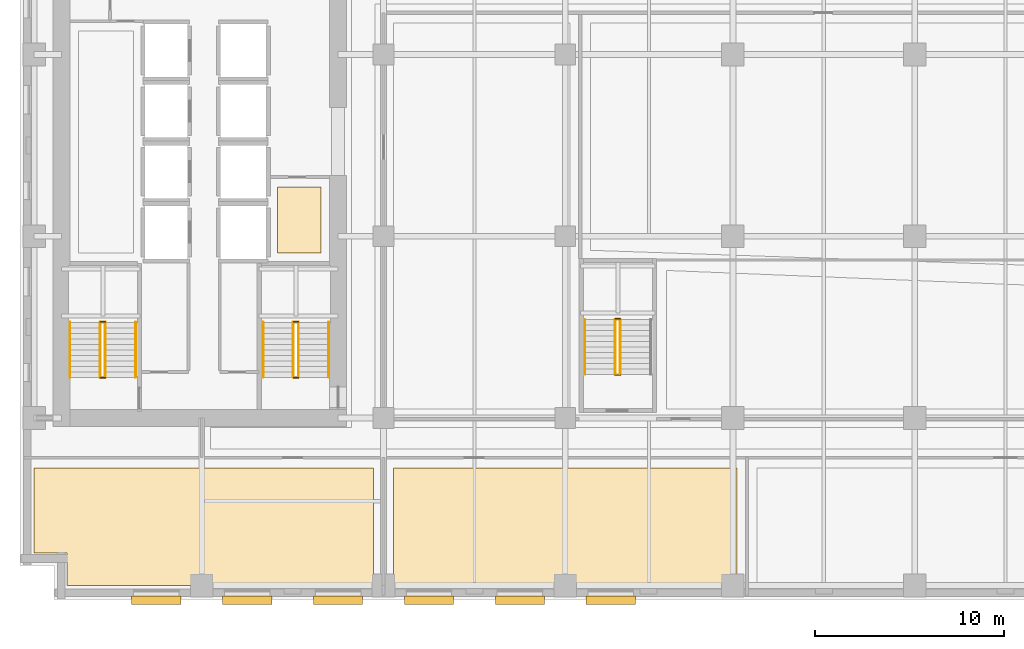
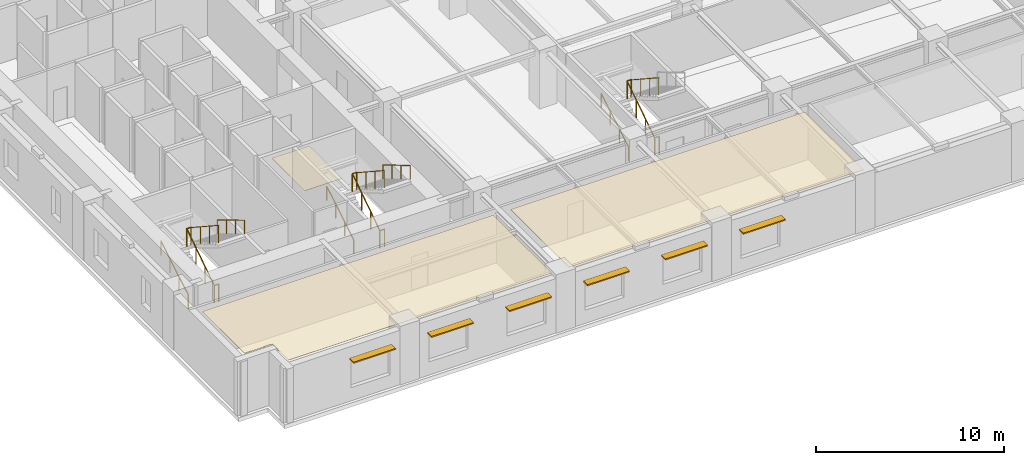
# One storey, part 10 of 14: 17 railings, 6 shading devices, 3 coverings.
"""IFC4 building model written with IfcOpenShell, lengths in metres."""

from ifc_helpers import new_model, si_unit, direction, frame, origin, origin_2d, place, context, subcontext, project, spatial, polyline, rectangle, circle, outline, extrude, material, layer, layer_set, type_object, element, save


model = new_model("IFC4")

# Units and contexts
model_context = context("Model", 3, precision=1e-05, world=origin(), true_north=direction((0.0, 1.0)))
body_context = subcontext(model_context, "Body", "Model", "MODEL_VIEW")
ifc_project = project(units=[si_unit("LENGTHUNIT", "METRE"), si_unit("AREAUNIT", "SQUARE_METRE"), si_unit("VOLUMEUNIT", "CUBIC_METRE"), si_unit("PLANEANGLEUNIT", "RADIAN"), si_unit("MASSUNIT", "GRAM", prefix="KILO")], contexts=[model_context])

# Site, building, storey
site_placement = place(None, origin())
site = spatial("IfcSite", under=ifc_project, at=site_placement, CompositionType="ELEMENT")
building_placement = place(site_placement, origin())
building = spatial("IfcBuilding", under=site, at=building_placement, Name="Norrvale University Quadrangle", CompositionType="ELEMENT")
storey_placement = place(building_placement, frame((0.0, 0.0, 50.800048828125)))
storey = spatial("IfcBuildingStorey", under=building, at=storey_placement, Name="L12", CompositionType="ELEMENT", Elevation=50.800048828125)

# Coverings
ifc_material_1 = material(Name="Perforated Acoustic Mineral Ceiling")
ifc_layer_1 = layer(ifc_material_1, 0.02490234375, Name="Perforated Acoustic Mineral Ceiling")
ifc_layer_set_1 = layer_set([ifc_layer_1], Name="Perforated Acoustic Mineral Ceiling")
covering_type_1 = type_object("IfcCoveringType", Name="Covering Acoustic Ceiling 25", PredefinedType="CEILING", material=ifc_layer_set_1)
covering_1_placement = place(storey_placement, frame((0.0, 0.0, 3.514892578125)))
element("IfcCovering", 1, at=covering_1_placement, inside=storey, type_object=covering_type_1, Name="Acoustic Ceiling RM-L12-S01", PredefinedType="CEILING", context=body_context, shape_type="SweptSolid", body=[
    extrude(outline(polyline([(0.75, 6.969970703125), (18.669921875, 6.969970703125), (18.669921875, 0.75), (2.469970703125, 0.75), (2.469970703125, 2.469970703125), (0.75, 2.469970703125), (0.75, 6.969970703125)])), origin(), (0.0, 0.0, 1.0), 0.025146484375),
])
covering_2_placement = place(storey_placement, frame((0.0, 0.0, 3.514892578125)))
element("IfcCovering", 2, at=covering_2_placement, inside=storey, type_object=covering_type_1, Name="Acoustic Ceiling RM-L12-S02", PredefinedType="CEILING", context=body_context, shape_type="SweptSolid", body=[
    extrude(outline(polyline([(19.72998046875, 6.969970703125), (37.8701171875, 6.969970703125), (37.8701171875, 0.75), (19.72998046875, 0.75), (19.72998046875, 6.969970703125)])), origin(), (0.0, 0.0, 1.0), 0.025146484375),
])
ifc_material_2 = material(Name="Polished Terrazzo Flooring")
ifc_layer_2 = layer(ifc_material_2, 0.02490234375, Name="Polished Terrazzo Flooring")
ifc_layer_set_2 = layer_set([ifc_layer_2], Name="Polished Terrazzo Flooring")
covering_type_2 = type_object("IfcCoveringType", Name="Covering Terrazzo Floor 30", PredefinedType="FLOORING", material=ifc_layer_set_2)
covering_3_placement = place(storey_placement, origin())
element("IfcCovering", 3, at=covering_3_placement, inside=storey, type_object=covering_type_2, Name="Terrazzo Flooring RM-L12-JAN", PredefinedType="FLOORING", context=body_context, shape_type="SweptSolid", body=[
    extrude(outline(polyline([(13.60009765625, 18.300048828125), (13.60009765625, 21.800048828125), (15.89990234375, 21.800048828125), (15.89990234375, 18.300048828125), (13.60009765625, 18.300048828125)])), origin(), (0.0, 0.0, 1.0), 0.02490234375),
])

# Railings
ifc_material_3 = material(Name="Steel 350W Painted Balustrade", Category="steel")
railing_type_1 = type_object("IfcRailingType", Name="Railing Stair Guard 1100", PredefinedType="GUARDRAIL", material=ifc_material_3)
for number, where, name in (
    (4, (4.239990234375, 11.719970703125, 0.0), "Stair Floor Well Guard ST-01 L12"),
    (5, (4.239990234375, 14.679931640625, 1.89990234375), "Stair Mid-Landing Slot Guard ST-01 L12"),
):
    element("IfcRailing", number, at=place(storey_placement, frame(where)), inside=storey, type_object=railing_type_1, Name=name, PredefinedType="GUARDRAIL", context=body_context, shape_type="SweptSolid", body=[
        extrude(circle(Radius=0.02392578125, at=origin_2d()), frame((0.0, 0.0, 1.1259765625), z_axis=(1.0, 0.0, 0.0), x_axis=(0.0, 1.0, 0.0)), (0.0, 0.0, 1.0), 0.27001953125),
        extrude(circle(Radius=0.02099609375, at=origin_2d()), origin(), (0.0, 0.0, 1.0), 1.101806640625),
        extrude(circle(Radius=0.02099609375, at=origin_2d()), frame((0.27001953125, 0.0, 0.0)), (0.0, 0.0, 1.0), 1.101806640625),
    ])
railing_1_placement = place(storey_placement, frame((4.239990234375, 11.75, 0.0)))
element("IfcRailing", 6, at=railing_1_placement, inside=storey, type_object=railing_type_1, Name="Stair Lower Flight Inner Guard ST-01 L12", PredefinedType="GUARDRAIL", context=body_context, shape_type="SweptSolid", body=[
    extrude(circle(Radius=0.02392578125, at=origin_2d()), frame((0.0, 0.0, 1.1259765625), z_axis=(0.0, 0.836465582154, 0.548019461216), x_axis=(-1.0, 0.0, 0.0)), (0.0, 0.0, 1.0), 3.466796875),
    extrude(circle(Radius=0.02099609375, at=origin_2d()), origin(), (0.0, 0.0, 1.0), 1.101806640625),
    extrude(circle(Radius=0.02099609375, at=origin_2d()), frame((0.0, 0.966552734375, 0.63330078125)), (0.0, 0.0, 1.0), 1.101806640625),
    extrude(circle(Radius=0.02099609375, at=origin_2d()), frame((0.0, 1.933349609375, 1.2666015625)), (0.0, 0.0, 1.0), 1.101806640625),
    extrude(circle(Radius=0.02099609375, at=origin_2d()), frame((0.0, 2.89990234375, 1.89990234375)), (0.0, 0.0, 1.0), 1.101806640625),
])
railing_2_placement = place(storey_placement, frame((4.510009765625, 14.64990234375, 1.89990234375)))
element("IfcRailing", 7, at=railing_2_placement, inside=storey, type_object=railing_type_1, Name="Stair Upper Flight Inner Guard ST-01 L12", PredefinedType="GUARDRAIL", context=body_context, shape_type="SweptSolid", body=[
    extrude(circle(Radius=0.02392578125, at=origin_2d()), frame((0.0, 0.0, 1.1259765625), z_axis=(0.0, -0.836433300813, 0.548068730445), x_axis=(1.0, 0.0, 0.0)), (0.0, 0.0, 1.0), 3.467041015625),
    extrude(circle(Radius=0.02099609375, at=origin_2d()), origin(), (0.0, 0.0, 1.0), 1.101806640625),
    extrude(circle(Radius=0.02099609375, at=origin_2d()), frame((0.0, -0.966552734375, 0.63330078125)), (0.0, 0.0, 1.0), 1.101806640625),
    extrude(circle(Radius=0.02099609375, at=origin_2d()), frame((0.0, -1.933349609375, 1.266845703125)), (0.0, 0.0, 1.0), 1.101806640625),
    extrude(circle(Radius=0.02099609375, at=origin_2d()), frame((0.0, -2.89990234375, 1.900146484375)), (0.0, 0.0, 1.0), 1.101806640625),
])
for number, where, name in (
    (8, (14.43994140625, 11.719970703125, 0.0), "Stair Floor Well Guard ST-03 L12"),
    (9, (14.43994140625, 14.679931640625, 1.89990234375), "Stair Mid-Landing Slot Guard ST-03 L12"),
):
    element("IfcRailing", number, at=place(storey_placement, frame(where)), inside=storey, type_object=railing_type_1, Name=name, PredefinedType="GUARDRAIL", context=body_context, shape_type="SweptSolid", body=[
        extrude(circle(Radius=0.02392578125, at=origin_2d()), frame((0.0, 0.0, 1.1259765625), z_axis=(1.0, 0.0, 0.0), x_axis=(0.0, 1.0, 0.0)), (0.0, 0.0, 1.0), 0.27001953125),
        extrude(circle(Radius=0.02099609375, at=origin_2d()), origin(), (0.0, 0.0, 1.0), 1.101806640625),
        extrude(circle(Radius=0.02099609375, at=origin_2d()), frame((0.27001953125, 0.0, 0.0)), (0.0, 0.0, 1.0), 1.101806640625),
    ])
railing_3_placement = place(storey_placement, frame((14.43994140625, 11.75, 0.0)))
element("IfcRailing", 10, at=railing_3_placement, inside=storey, type_object=railing_type_1, Name="Stair Lower Flight Inner Guard ST-03 L12", PredefinedType="GUARDRAIL", context=body_context, shape_type="SweptSolid", body=[
    extrude(circle(Radius=0.02392578125, at=origin_2d()), frame((0.0, 0.0, 1.1259765625), z_axis=(0.0, 0.836465582154, 0.548019461216), x_axis=(-1.0, 0.0, 0.0)), (0.0, 0.0, 1.0), 3.466796875),
    extrude(circle(Radius=0.02099609375, at=origin_2d()), origin(), (0.0, 0.0, 1.0), 1.101806640625),
    extrude(circle(Radius=0.02099609375, at=origin_2d()), frame((0.0, 0.966552734375, 0.63330078125)), (0.0, 0.0, 1.0), 1.101806640625),
    extrude(circle(Radius=0.02099609375, at=origin_2d()), frame((0.0, 1.933349609375, 1.2666015625)), (0.0, 0.0, 1.0), 1.101806640625),
    extrude(circle(Radius=0.02099609375, at=origin_2d()), frame((0.0, 2.89990234375, 1.89990234375)), (0.0, 0.0, 1.0), 1.101806640625),
])
railing_4_placement = place(storey_placement, frame((14.7099609375, 14.64990234375, 1.89990234375)))
element("IfcRailing", 11, at=railing_4_placement, inside=storey, type_object=railing_type_1, Name="Stair Upper Flight Inner Guard ST-03 L12", PredefinedType="GUARDRAIL", context=body_context, shape_type="SweptSolid", body=[
    extrude(circle(Radius=0.02392578125, at=origin_2d()), frame((0.0, 0.0, 1.1259765625), z_axis=(0.0, -0.836433300813, 0.548068730445), x_axis=(1.0, 0.0, 0.0)), (0.0, 0.0, 1.0), 3.467041015625),
    extrude(circle(Radius=0.02099609375, at=origin_2d()), origin(), (0.0, 0.0, 1.0), 1.101806640625),
    extrude(circle(Radius=0.02099609375, at=origin_2d()), frame((0.0, -0.966552734375, 0.63330078125)), (0.0, 0.0, 1.0), 1.101806640625),
    extrude(circle(Radius=0.02099609375, at=origin_2d()), frame((0.0, -1.933349609375, 1.266845703125)), (0.0, 0.0, 1.0), 1.101806640625),
    extrude(circle(Radius=0.02099609375, at=origin_2d()), frame((0.0, -2.89990234375, 1.900146484375)), (0.0, 0.0, 1.0), 1.101806640625),
])
for number, where, name in (
    (12, (31.43994140625, 11.8701171875, 0.0), "Stair Floor Well Guard ST-04 L12"),
    (13, (31.43994140625, 14.830078125, 1.89990234375), "Stair Mid-Landing Slot Guard ST-04 L12"),
):
    element("IfcRailing", number, at=place(storey_placement, frame(where)), inside=storey, type_object=railing_type_1, Name=name, PredefinedType="GUARDRAIL", context=body_context, shape_type="SweptSolid", body=[
        extrude(circle(Radius=0.02392578125, at=origin_2d()), frame((0.0, 0.0, 1.1259765625), z_axis=(1.0, 0.0, 0.0), x_axis=(0.0, 1.0, 0.0)), (0.0, 0.0, 1.0), 0.27001953125),
        extrude(circle(Radius=0.02099609375, at=origin_2d()), origin(), (0.0, 0.0, 1.0), 1.101806640625),
        extrude(circle(Radius=0.02099609375, at=origin_2d()), frame((0.27001953125, 0.0, 0.0)), (0.0, 0.0, 1.0), 1.101806640625),
    ])
railing_5_placement = place(storey_placement, frame((31.43994140625, 11.89990234375, 0.0)))
element("IfcRailing", 14, at=railing_5_placement, inside=storey, type_object=railing_type_1, Name="Stair Lower Flight Inner Guard ST-04 L12", PredefinedType="GUARDRAIL", context=body_context, shape_type="SweptSolid", body=[
    extrude(circle(Radius=0.02392578125, at=origin_2d()), frame((0.0, 0.0, 1.1259765625), z_axis=(0.0, 0.836486729621, 0.547987181573), x_axis=(-1.0, 0.0, 0.0)), (0.0, 0.0, 1.0), 3.467041015625),
    extrude(circle(Radius=0.02099609375, at=origin_2d()), origin(), (0.0, 0.0, 1.0), 1.101806640625),
    extrude(circle(Radius=0.02099609375, at=origin_2d()), frame((0.0, 0.966796875, 0.63330078125)), (0.0, 0.0, 1.0), 1.101806640625),
    extrude(circle(Radius=0.02099609375, at=origin_2d()), frame((0.0, 1.933349609375, 1.2666015625)), (0.0, 0.0, 1.0), 1.101806640625),
    extrude(circle(Radius=0.02099609375, at=origin_2d()), frame((0.0, 2.900146484375, 1.89990234375)), (0.0, 0.0, 1.0), 1.101806640625),
])
railing_6_placement = place(storey_placement, frame((31.7099609375, 14.800048828125, 1.89990234375)))
element("IfcRailing", 15, at=railing_6_placement, inside=storey, type_object=railing_type_1, Name="Stair Upper Flight Inner Guard ST-04 L12", PredefinedType="GUARDRAIL", context=body_context, shape_type="SweptSolid", body=[
    extrude(circle(Radius=0.02392578125, at=origin_2d()), frame((0.0, 0.0, 1.1259765625), z_axis=(0.0, -0.836454451266, 0.548036450392), x_axis=(1.0, 0.0, 0.0)), (0.0, 0.0, 1.0), 3.46728515625),
    extrude(circle(Radius=0.02099609375, at=origin_2d()), origin(), (0.0, 0.0, 1.0), 1.101806640625),
    extrude(circle(Radius=0.02099609375, at=origin_2d()), frame((0.0, -0.966796875, 0.63330078125)), (0.0, 0.0, 1.0), 1.101806640625),
    extrude(circle(Radius=0.02099609375, at=origin_2d()), frame((0.0, -1.933349609375, 1.266845703125)), (0.0, 0.0, 1.0), 1.101806640625),
    extrude(circle(Radius=0.02099609375, at=origin_2d()), frame((0.0, -2.900146484375, 1.900146484375)), (0.0, 0.0, 1.0), 1.101806640625),
])
ifc_material_4 = material(Name="Stainless Steel 316L Handrail", Category="steel")
railing_type_2 = type_object("IfcRailingType", Name="Railing Stair Handrail 920", PredefinedType="HANDRAIL", material=ifc_material_4)
railing_7_placement = place(storey_placement, frame((2.639892578125, 11.75, 0.172607421875)))
element("IfcRailing", 16, at=railing_7_placement, inside=storey, type_object=railing_type_2, Name="Stair Lower Flight Handrail ST-01 L12", PredefinedType="HANDRAIL", context=body_context, shape_type="SweptSolid", body=[
    extrude(circle(Radius=0.02392578125, at=origin_2d()), frame((0.0, 0.0, 0.89599609375), z_axis=(0.0, 0.859141464434, 0.511738159696), x_axis=(-1.0, 0.0, 0.0)), (0.0, 0.0, 1.0), 3.375244140625),
    extrude(circle(Radius=0.02099609375, at=origin_2d()), origin(), (0.0, 0.0, 1.0), 0.871826171875),
    extrude(circle(Radius=0.02099609375, at=origin_2d()), frame((0.0, 0.966552734375, 0.57568359375)), (0.0, 0.0, 1.0), 0.871826171875),
    extrude(circle(Radius=0.02099609375, at=origin_2d()), frame((0.0, 1.933349609375, 1.151611328125)), (0.0, 0.0, 1.0), 0.871826171875),
    extrude(circle(Radius=0.02099609375, at=origin_2d()), frame((0.0, 2.89990234375, 1.727294921875)), (0.0, 0.0, 1.0), 0.871826171875),
])
railing_8_placement = place(storey_placement, frame((6.110107421875, 14.64990234375, 2.07275390625)))
element("IfcRailing", 17, at=railing_8_placement, inside=storey, type_object=railing_type_2, Name="Stair Upper Flight Handrail ST-01 L12", PredefinedType="HANDRAIL", context=body_context, shape_type="SweptSolid", body=[
    extrude(circle(Radius=0.02392578125, at=origin_2d()), frame((0.0, 0.0, 0.89599609375), z_axis=(0.0, -0.859141464434, 0.511738159696), x_axis=(1.0, 0.0, 0.0)), (0.0, 0.0, 1.0), 3.375244140625),
    extrude(circle(Radius=0.02099609375, at=origin_2d()), origin(), (0.0, 0.0, 1.0), 0.871826171875),
    extrude(circle(Radius=0.02099609375, at=origin_2d()), frame((0.0, -0.966552734375, 0.57568359375)), (0.0, 0.0, 1.0), 0.871826171875),
    extrude(circle(Radius=0.02099609375, at=origin_2d()), frame((0.0, -1.933349609375, 1.151611328125)), (0.0, 0.0, 1.0), 0.871826171875),
    extrude(circle(Radius=0.02099609375, at=origin_2d()), frame((0.0, -2.89990234375, 1.727294921875)), (0.0, 0.0, 1.0), 0.871826171875),
])
railing_9_placement = place(storey_placement, frame((12.840087890625, 11.75, 0.172607421875)))
element("IfcRailing", 18, at=railing_9_placement, inside=storey, type_object=railing_type_2, Name="Stair Lower Flight Handrail ST-03 L12", PredefinedType="HANDRAIL", context=body_context, shape_type="SweptSolid", body=[
    extrude(circle(Radius=0.02392578125, at=origin_2d()), frame((0.0, 0.0, 0.89599609375), z_axis=(0.0, 0.859141464434, 0.511738159696), x_axis=(-1.0, 0.0, 0.0)), (0.0, 0.0, 1.0), 3.375244140625),
    extrude(circle(Radius=0.02099609375, at=origin_2d()), origin(), (0.0, 0.0, 1.0), 0.871826171875),
    extrude(circle(Radius=0.02099609375, at=origin_2d()), frame((0.0, 0.966552734375, 0.57568359375)), (0.0, 0.0, 1.0), 0.871826171875),
    extrude(circle(Radius=0.02099609375, at=origin_2d()), frame((0.0, 1.933349609375, 1.151611328125)), (0.0, 0.0, 1.0), 0.871826171875),
    extrude(circle(Radius=0.02099609375, at=origin_2d()), frame((0.0, 2.89990234375, 1.727294921875)), (0.0, 0.0, 1.0), 0.871826171875),
])
railing_10_placement = place(storey_placement, frame((16.31005859375, 14.64990234375, 2.07275390625)))
element("IfcRailing", 19, at=railing_10_placement, inside=storey, type_object=railing_type_2, Name="Stair Upper Flight Handrail ST-03 L12", PredefinedType="HANDRAIL", context=body_context, shape_type="SweptSolid", body=[
    extrude(circle(Radius=0.02392578125, at=origin_2d()), frame((0.0, 0.0, 0.89599609375), z_axis=(0.0, -0.859141464434, 0.511738159696), x_axis=(1.0, 0.0, 0.0)), (0.0, 0.0, 1.0), 3.375244140625),
    extrude(circle(Radius=0.02099609375, at=origin_2d()), origin(), (0.0, 0.0, 1.0), 0.871826171875),
    extrude(circle(Radius=0.02099609375, at=origin_2d()), frame((0.0, -0.966552734375, 0.57568359375)), (0.0, 0.0, 1.0), 0.871826171875),
    extrude(circle(Radius=0.02099609375, at=origin_2d()), frame((0.0, -1.933349609375, 1.151611328125)), (0.0, 0.0, 1.0), 0.871826171875),
    extrude(circle(Radius=0.02099609375, at=origin_2d()), frame((0.0, -2.89990234375, 1.727294921875)), (0.0, 0.0, 1.0), 0.871826171875),
])
railing_11_placement = place(storey_placement, frame((29.840087890625, 11.89990234375, 0.172607421875)))
element("IfcRailing", 20, at=railing_11_placement, inside=storey, type_object=railing_type_2, Name="Stair Lower Flight Handrail ST-04 L12", PredefinedType="HANDRAIL", context=body_context, shape_type="SweptSolid", body=[
    extrude(circle(Radius=0.02392578125, at=origin_2d()), frame((0.0, 0.0, 0.89599609375), z_axis=(0.0, 0.859160404282, 0.51170636083), x_axis=(-1.0, 0.0, 0.0)), (0.0, 0.0, 1.0), 3.37548828125),
    extrude(circle(Radius=0.02099609375, at=origin_2d()), origin(), (0.0, 0.0, 1.0), 0.871826171875),
    extrude(circle(Radius=0.02099609375, at=origin_2d()), frame((0.0, 0.966796875, 0.57568359375)), (0.0, 0.0, 1.0), 0.871826171875),
    extrude(circle(Radius=0.02099609375, at=origin_2d()), frame((0.0, 1.933349609375, 1.151611328125)), (0.0, 0.0, 1.0), 0.871826171875),
    extrude(circle(Radius=0.02099609375, at=origin_2d()), frame((0.0, 2.900146484375, 1.727294921875)), (0.0, 0.0, 1.0), 0.871826171875),
])

# Shading devices
ifc_material_5 = material(Name="Anodized Aluminium 6063-T6", Category="aluminium")
ifc_layer_3 = layer(ifc_material_5, 0.080078125, Name="Anodized Aluminium 6063-T6")
ifc_layer_set_3 = layer_set([ifc_layer_3], Name="Anodized Aluminium 6063-T6")
shading_device_type = type_object("IfcShadingDeviceType", Name="Shade South Sunshade 450", PredefinedType="USERDEFINED", material=ifc_layer_set_3)
for number, where, z_axis, x_axis, name in (
    (21, (7.199951171875, -0.02001953125, 2.719970703125), (0.0, 0.0, 1.0), (1.0, 0.0, 0.0), "South Solar Brise-Soleil 07"),
    (22, (12.0, -0.02001953125, 2.719970703125), (0.0, 0.0, 1.0), (1.0, 0.0, 0.0), "South Solar Brise-Soleil 08"),
    (23, (16.800048828125, -0.02001953125, 2.719970703125), (0.0, 0.0, 1.0), (1.0, 0.0, 0.0), "South Solar Brise-Soleil 09"),
    (24, (21.60009765625, -0.02001953125, 2.719970703125), (0.0, 0.0, 1.0), (1.0, 0.0, 0.0), "South Solar Brise-Soleil 10"),
    (25, (26.39990234375, -0.02001953125, 2.719970703125), (0.0, 0.0, 1.0), (1.0, 0.0, 0.0), "South Solar Brise-Soleil 11"),
    (26, (31.199951171875, -0.02001953125, 2.719970703125), (0.0, 0.0, 1.0), (1.0, 0.0, 0.0), "South Solar Brise-Soleil 12"),
):
    element("IfcShadingDevice", number, at=place(storey_placement, frame(where, z_axis=z_axis, x_axis=x_axis)), inside=storey, type_object=shading_device_type, Name=name, ObjectType="SUNSHADE", PredefinedType="USERDEFINED", context=body_context, shape_type="SweptSolid", body=[
        extrude(rectangle(XDim=2.60009765625, YDim=0.449951171875, at=origin_2d()), origin(), (0.0, 0.0, 1.0), 0.080078125),
    ])

save(model, "model.ifc")
